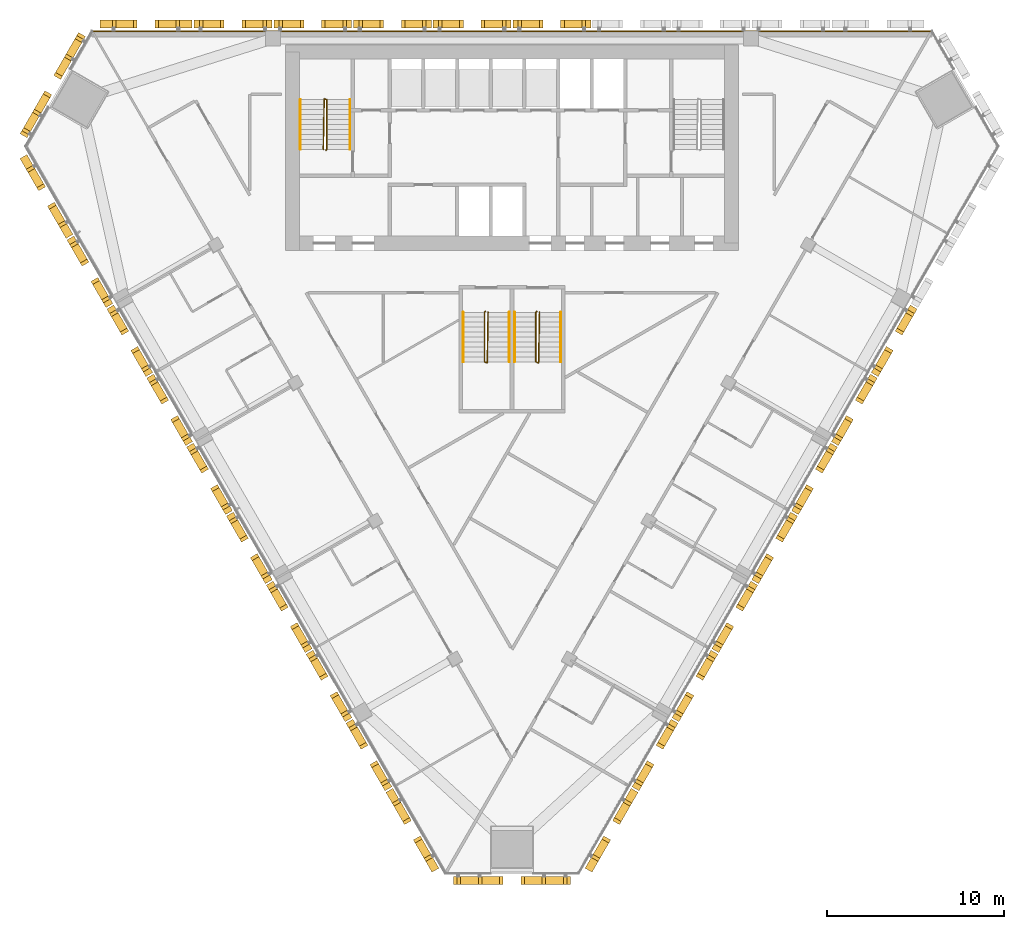
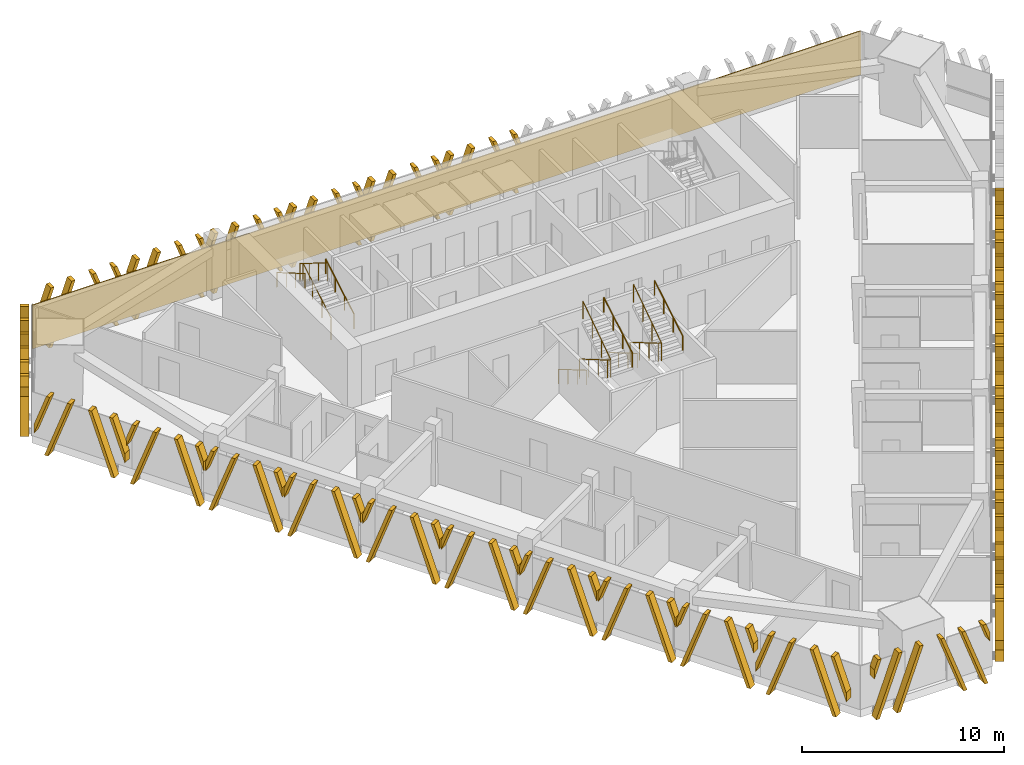
# One storey, part 13 of 15: 26 shading devices, 9 railings, 1 covering.
"""IFC4 building model written with IfcOpenShell, lengths in metres."""

from ifc_helpers import new_model, si_unit, direction, frame, frame_2d, origin, origin_2d, place, context, subcontext, project, spatial, polyline, rectangle, circle, outline, extrude, source, transform, mapped, material, layer, layer_set, type_object, element, save


model = new_model("IFC4")

# Units and contexts
model_context = context("Model", 3, precision=1e-05, world=origin(), true_north=direction((0.0, 1.0)))
body_context = subcontext(model_context, "Body", "Model", "MODEL_VIEW")
ifc_project = project(units=[si_unit("LENGTHUNIT", "METRE"), si_unit("AREAUNIT", "SQUARE_METRE"), si_unit("VOLUMEUNIT", "CUBIC_METRE"), si_unit("PLANEANGLEUNIT", "RADIAN"), si_unit("MASSUNIT", "GRAM", prefix="KILO")], contexts=[model_context])

# Site, building, storey
site_placement = place(None, origin())
site = spatial("IfcSite", under=ifc_project, at=site_placement, CompositionType="ELEMENT")
building_placement = place(site_placement, origin())
building = spatial("IfcBuilding", under=site, at=building_placement, Name="Altiplano Prism Tower", CompositionType="ELEMENT")
storey_placement = place(building_placement, frame((0.0, 0.0, 142.199951171875)))
storey = spatial("IfcBuildingStorey", under=building, at=storey_placement, Name="L36", CompositionType="ELEMENT", Elevation=142.199951171875)

# Railings
ifc_material_1 = material(Name="Steel S355", Category="steel")
railing_type_1 = type_object("IfcRailingType", Name="Stair guard 1100", PredefinedType="GUARDRAIL", material=ifc_material_1)
railing_1_placement = place(storey_placement, frame((74.5, 98.25, 0.0)))
element("IfcRailing", 1, at=railing_1_placement, inside=storey, type_object=railing_type_1, Name="L36 ST1 stair guard 1", PredefinedType="GUARDRAIL", context=body_context, shape_type="SweptSolid", body=[
    extrude(circle(Radius=0.02392578125, at=origin_2d()), frame((0.0, 0.0, 1.076171875), z_axis=(0.280808744504, 0.280808744504, 0.917765164963), x_axis=(-0.707106781187, 0.707106781187, 0.0)), (0.0, 0.0, 1.0), 0.17822265625),
    extrude(circle(Radius=0.02392578125, at=origin_2d()), frame((0.050048828125, 0.050048828125, 1.23974609375), z_axis=(0.0, 0.863360870873, 0.504586966384), x_axis=(-1.0, 0.0, 0.0)), (0.0, 0.0, 1.0), 3.2431640625),
    extrude(circle(Radius=0.02392578125, at=origin_2d()), frame((0.050048828125, 2.85009765625, 2.8759765625), z_axis=(-0.949145278916, 0.314838433982, 0.0), x_axis=(-0.314838433982, -0.949145278916, 0.0)), (0.0, 0.0, 1.0), 0.158203125),
    extrude(circle(Radius=0.02392578125, at=origin_2d()), frame((-0.10009765625, 2.89990234375, 2.8759765625), z_axis=(-0.01477401265, -0.845377694409, 0.533964682676), x_axis=(0.999847325713, -0.01747355902, 0.0)), (0.0, 0.0, 1.0), 3.37109375),
    extrude(circle(Radius=0.02099609375, at=origin_2d()), origin(), (0.0, 0.0, 1.0), 1.052001953125),
    extrude(circle(Radius=0.02099609375, at=origin_2d()), frame((0.050048828125, 0.050048828125, 0.16357421875)), (0.0, 0.0, 1.0), 1.052001953125),
    extrude(circle(Radius=0.02099609375, at=origin_2d()), frame((0.050048828125, 0.9833984375, 0.708984375)), (0.0, 0.0, 1.0), 1.052001953125),
    extrude(circle(Radius=0.02099609375, at=origin_2d()), frame((0.050048828125, 1.916748046875, 1.254638671875)), (0.0, 0.0, 1.0), 1.052001953125),
    extrude(circle(Radius=0.02099609375, at=origin_2d()), frame((0.050048828125, 2.85009765625, 1.800048828125)), (0.0, 0.0, 1.0), 1.052001953125),
    extrude(circle(Radius=0.02099609375, at=origin_2d()), frame((-0.10009765625, 2.89990234375, 1.800048828125)), (0.0, 0.0, 1.0), 1.052001953125),
    extrude(circle(Radius=0.02099609375, at=origin_2d()), frame((-0.11669921875, 1.949951171875, 2.400146484375)), (0.0, 0.0, 1.0), 1.052001953125),
    extrude(circle(Radius=0.02099609375, at=origin_2d()), frame((-0.13330078125, 1.0, 3.0)), (0.0, 0.0, 1.0), 1.052001953125),
    extrude(circle(Radius=0.02099609375, at=origin_2d()), frame((-0.14990234375, 0.050048828125, 3.60009765625)), (0.0, 0.0, 1.0), 1.052001953125),
])
railing_2_placement = place(storey_placement, frame((83.5, 89.14990234375, 0.0)))
element("IfcRailing", 2, at=railing_2_placement, inside=storey, type_object=railing_type_1, Name="L36 ST3A stair guard 1", PredefinedType="GUARDRAIL", context=body_context, shape_type="SweptSolid", body=[
    extrude(circle(Radius=0.02392578125, at=origin_2d()), frame((0.0, 0.0, 1.076171875), z_axis=(-0.280916556609, -0.279546231943, 0.91811752648), x_axis=(0.705375805398, -0.708833529934, 0.0)), (0.0, 0.0, 1.0), 0.17822265625),
    extrude(circle(Radius=0.02392578125, at=origin_2d()), frame((-0.050048828125, -0.0498046875, 1.23974609375), z_axis=(0.0, -0.863360870873, 0.504586966384), x_axis=(1.0, 0.0, 0.0)), (0.0, 0.0, 1.0), 3.2431640625),
    extrude(circle(Radius=0.02392578125, at=origin_2d()), frame((-0.050048828125, -2.849853515625, 2.8759765625), z_axis=(0.948683298051, -0.316227766017, 0.0), x_axis=(0.316227766017, 0.948683298051, 0.0)), (0.0, 0.0, 1.0), 0.158203125),
    extrude(circle(Radius=0.02392578125, at=origin_2d()), frame((0.10009765625, -2.89990234375, 2.8759765625), z_axis=(0.014773108175, 0.84539835705, 0.533931993021), x_axis=(-0.999847351862, 0.017472062685, 0.0)), (0.0, 0.0, 1.0), 3.371337890625),
    extrude(circle(Radius=0.02099609375, at=origin_2d()), origin(), (0.0, 0.0, 1.0), 1.052001953125),
    extrude(circle(Radius=0.02099609375, at=origin_2d()), frame((-0.050048828125, -0.0498046875, 0.16357421875)), (0.0, 0.0, 1.0), 1.052001953125),
    extrude(circle(Radius=0.02099609375, at=origin_2d()), frame((-0.050048828125, -0.983154296875, 0.708984375)), (0.0, 0.0, 1.0), 1.052001953125),
    extrude(circle(Radius=0.02099609375, at=origin_2d()), frame((-0.050048828125, -1.91650390625, 1.254638671875)), (0.0, 0.0, 1.0), 1.052001953125),
    extrude(circle(Radius=0.02099609375, at=origin_2d()), frame((-0.050048828125, -2.849853515625, 1.800048828125)), (0.0, 0.0, 1.0), 1.052001953125),
    extrude(circle(Radius=0.02099609375, at=origin_2d()), frame((0.10009765625, -2.89990234375, 1.800048828125)), (0.0, 0.0, 1.0), 1.052001953125),
    extrude(circle(Radius=0.02099609375, at=origin_2d()), frame((0.11669921875, -1.949951171875, 2.400146484375)), (0.0, 0.0, 1.0), 1.052001953125),
    extrude(circle(Radius=0.02099609375, at=origin_2d()), frame((0.13330078125, -0.999755859375, 3.0)), (0.0, 0.0, 1.0), 1.052001953125),
    extrude(circle(Radius=0.02099609375, at=origin_2d()), frame((0.14990234375, -0.0498046875, 3.60009765625)), (0.0, 0.0, 1.0), 1.052001953125),
])
railing_3_placement = place(storey_placement, frame((86.39990234375, 89.14990234375, 0.0)))
element("IfcRailing", 3, at=railing_3_placement, inside=storey, type_object=railing_type_1, Name="L36 ST3B stair guard 1", PredefinedType="GUARDRAIL", context=body_context, shape_type="SweptSolid", body=[
    extrude(circle(Radius=0.02392578125, at=origin_2d()), frame((0.0, 0.0, 1.076171875), z_axis=(-0.279653641804, -0.279653641804, 0.918470294159), x_axis=(0.707106781187, -0.707106781187, 0.0)), (0.0, 0.0, 1.0), 0.177978515625),
    extrude(circle(Radius=0.02392578125, at=origin_2d()), frame((-0.0498046875, -0.0498046875, 1.23974609375), z_axis=(0.0, -0.863360870873, 0.504586966384), x_axis=(1.0, 0.0, 0.0)), (0.0, 0.0, 1.0), 3.2431640625),
    extrude(circle(Radius=0.02392578125, at=origin_2d()), frame((-0.0498046875, -2.849853515625, 2.8759765625), z_axis=(0.948528701346, -0.316691178788, 0.0), x_axis=(0.316691178788, 0.948528701346, 0.0)), (0.0, 0.0, 1.0), 0.157958984375),
    extrude(circle(Radius=0.02392578125, at=origin_2d()), frame((0.10009765625, -2.89990234375, 2.8759765625), z_axis=(0.014845509451, 0.845397450405, 0.533931420407), x_axis=(-0.999845851991, 0.017557683712, 0.0)), (0.0, 0.0, 1.0), 3.371337890625),
    extrude(circle(Radius=0.02099609375, at=origin_2d()), origin(), (0.0, 0.0, 1.0), 1.052001953125),
    extrude(circle(Radius=0.02099609375, at=origin_2d()), frame((-0.0498046875, -0.0498046875, 0.16357421875)), (0.0, 0.0, 1.0), 1.052001953125),
    extrude(circle(Radius=0.02099609375, at=origin_2d()), frame((-0.0498046875, -0.983154296875, 0.708984375)), (0.0, 0.0, 1.0), 1.052001953125),
    extrude(circle(Radius=0.02099609375, at=origin_2d()), frame((-0.0498046875, -1.91650390625, 1.254638671875)), (0.0, 0.0, 1.0), 1.052001953125),
    extrude(circle(Radius=0.02099609375, at=origin_2d()), frame((-0.0498046875, -2.849853515625, 1.800048828125)), (0.0, 0.0, 1.0), 1.052001953125),
    extrude(circle(Radius=0.02099609375, at=origin_2d()), frame((0.10009765625, -2.89990234375, 1.800048828125)), (0.0, 0.0, 1.0), 1.052001953125),
    extrude(circle(Radius=0.02099609375, at=origin_2d()), frame((0.11669921875, -1.949951171875, 2.400146484375)), (0.0, 0.0, 1.0), 1.052001953125),
    extrude(circle(Radius=0.02099609375, at=origin_2d()), frame((0.133544921875, -0.999755859375, 3.0)), (0.0, 0.0, 1.0), 1.052001953125),
    extrude(circle(Radius=0.02099609375, at=origin_2d()), frame((0.150146484375, -0.0498046875, 3.60009765625)), (0.0, 0.0, 1.0), 1.052001953125),
])
railing_type_2 = type_object("IfcRailingType", Name="Stair handrail 900", PredefinedType="HANDRAIL", material=ifc_material_1)
railing_4_placement = place(storey_placement, frame((75.85009765625, 98.300048828125, 0.16357421875)))
element("IfcRailing", 4, at=railing_4_placement, inside=storey, type_object=railing_type_2, Name="L36 ST1 stair handrail 1", PredefinedType="HANDRAIL", context=body_context, shape_type="SweptSolid", body=[
    extrude(circle(Radius=0.02392578125, at=origin_2d()), frame((0.0, 0.0, 0.8759765625), z_axis=(0.0, 0.863360870873, 0.504586966384), x_axis=(-1.0, 0.0, 0.0)), (0.0, 0.0, 1.0), 3.2431640625),
    extrude(circle(Radius=0.02099609375, at=origin_2d()), origin(), (0.0, 0.0, 1.0), 0.851806640625),
    extrude(circle(Radius=0.02099609375, at=origin_2d()), frame((0.0, 0.933349609375, 0.54541015625)), (0.0, 0.0, 1.0), 0.851806640625),
    extrude(circle(Radius=0.02099609375, at=origin_2d()), frame((0.0, 1.86669921875, 1.091064453125)), (0.0, 0.0, 1.0), 0.851806640625),
    extrude(circle(Radius=0.02099609375, at=origin_2d()), frame((0.0, 2.800048828125, 1.636474609375)), (0.0, 0.0, 1.0), 0.851806640625),
])
for number, where, name in (
    (5, (73.050048828125, 101.10009765625, 1.963623046875), "L36 ST1 stair handrail 2"),
    (6, (82.25, 89.10009765625, 0.16357421875), "L36 ST3A stair handrail 1"),
):
    element("IfcRailing", number, at=place(storey_placement, frame(where)), inside=storey, type_object=railing_type_2, Name=name, PredefinedType="HANDRAIL", context=body_context, shape_type="SweptSolid", body=[
        extrude(circle(Radius=0.02392578125, at=origin_2d()), frame((0.0, 0.0, 0.8759765625), z_axis=(0.0, -0.863360870873, 0.504586966384), x_axis=(1.0, 0.0, 0.0)), (0.0, 0.0, 1.0), 3.2431640625),
        extrude(circle(Radius=0.02099609375, at=origin_2d()), origin(), (0.0, 0.0, 1.0), 0.851806640625),
        extrude(circle(Radius=0.02099609375, at=origin_2d()), frame((0.0, -0.933349609375, 0.54541015625)), (0.0, 0.0, 1.0), 0.851806640625),
        extrude(circle(Radius=0.02099609375, at=origin_2d()), frame((0.0, -1.86669921875, 1.091064453125)), (0.0, 0.0, 1.0), 0.851806640625),
        extrude(circle(Radius=0.02099609375, at=origin_2d()), frame((0.0, -2.800048828125, 1.636474609375)), (0.0, 0.0, 1.0), 0.851806640625),
    ])
railing_5_placement = place(storey_placement, frame((84.85009765625, 86.300048828125, 1.963623046875)))
element("IfcRailing", 7, at=railing_5_placement, inside=storey, type_object=railing_type_2, Name="L36 ST3A stair handrail 2", PredefinedType="HANDRAIL", context=body_context, shape_type="SweptSolid", body=[
    extrude(circle(Radius=0.02392578125, at=origin_2d()), frame((0.0, 0.0, 0.8759765625), z_axis=(0.0, 0.863360870873, 0.504586966384), x_axis=(-1.0, 0.0, 0.0)), (0.0, 0.0, 1.0), 3.2431640625),
    extrude(circle(Radius=0.02099609375, at=origin_2d()), origin(), (0.0, 0.0, 1.0), 0.851806640625),
    extrude(circle(Radius=0.02099609375, at=origin_2d()), frame((0.0, 0.933349609375, 0.54541015625)), (0.0, 0.0, 1.0), 0.851806640625),
    extrude(circle(Radius=0.02099609375, at=origin_2d()), frame((0.0, 1.86669921875, 1.091064453125)), (0.0, 0.0, 1.0), 0.851806640625),
    extrude(circle(Radius=0.02099609375, at=origin_2d()), frame((0.0, 2.800048828125, 1.636474609375)), (0.0, 0.0, 1.0), 0.851806640625),
])
railing_6_placement = place(storey_placement, frame((85.14990234375, 89.10009765625, 0.16357421875)))
element("IfcRailing", 8, at=railing_6_placement, inside=storey, type_object=railing_type_2, Name="L36 ST3B stair handrail 1", PredefinedType="HANDRAIL", context=body_context, shape_type="SweptSolid", body=[
    extrude(circle(Radius=0.02392578125, at=origin_2d()), frame((0.0, 0.0, 0.8759765625), z_axis=(0.0, -0.863360870873, 0.504586966384), x_axis=(1.0, 0.0, 0.0)), (0.0, 0.0, 1.0), 3.2431640625),
    extrude(circle(Radius=0.02099609375, at=origin_2d()), origin(), (0.0, 0.0, 1.0), 0.851806640625),
    extrude(circle(Radius=0.02099609375, at=origin_2d()), frame((0.0, -0.933349609375, 0.54541015625)), (0.0, 0.0, 1.0), 0.851806640625),
    extrude(circle(Radius=0.02099609375, at=origin_2d()), frame((0.0, -1.86669921875, 1.091064453125)), (0.0, 0.0, 1.0), 0.851806640625),
    extrude(circle(Radius=0.02099609375, at=origin_2d()), frame((0.0, -2.800048828125, 1.636474609375)), (0.0, 0.0, 1.0), 0.851806640625),
])
railing_7_placement = place(storey_placement, frame((87.75, 86.300048828125, 1.963623046875)))
element("IfcRailing", 9, at=railing_7_placement, inside=storey, type_object=railing_type_2, Name="L36 ST3B stair handrail 2", PredefinedType="HANDRAIL", context=body_context, shape_type="SweptSolid", body=[
    extrude(circle(Radius=0.02392578125, at=origin_2d()), frame((0.0, 0.0, 0.8759765625), z_axis=(0.0, 0.863360870873, 0.504586966384), x_axis=(-1.0, 0.0, 0.0)), (0.0, 0.0, 1.0), 3.2431640625),
    extrude(circle(Radius=0.02099609375, at=origin_2d()), origin(), (0.0, 0.0, 1.0), 0.851806640625),
    extrude(circle(Radius=0.02099609375, at=origin_2d()), frame((0.0, 0.933349609375, 0.54541015625)), (0.0, 0.0, 1.0), 0.851806640625),
    extrude(circle(Radius=0.02099609375, at=origin_2d()), frame((0.0, 1.86669921875, 1.091064453125)), (0.0, 0.0, 1.0), 0.851806640625),
    extrude(circle(Radius=0.02099609375, at=origin_2d()), frame((0.0, 2.800048828125, 1.636474609375)), (0.0, 0.0, 1.0), 0.851806640625),
])

# Covering
ifc_material_2 = material(Name="Warm limestone cast stone", Category="masonry")
ifc_layer = layer(ifc_material_2, 0.06005859375)
ifc_layer_set = layer_set([ifc_layer], Name="Warm limestone cast stone")
covering_type = type_object("IfcCoveringType", Name="Stone cladding 60", PredefinedType="CLADDING", material=ifc_layer_set)
covering_placement = place(storey_placement, frame((61.283203125, 104.969970703125, 0.0), z_axis=(0.0, 0.0, 1.0), x_axis=(1.0, 0.0, 0.0)))
element("IfcCovering", 10, at=covering_placement, inside=storey, type_object=covering_type, Name="Stone cladding north face L36", PredefinedType="CLADDING", context=body_context, shape_type="SweptSolid", body=[
    extrude(rectangle(XDim=47.43359375, YDim=0.06005859375, at=frame_2d((23.716796875, 0.0))), origin(), (0.0, 0.0, 1.0), 2.650146484375),
])

# Shading devices
shading_device_type_1 = type_object("IfcShadingDeviceType", Name="Stone fin panel, standard unit", PredefinedType="USERDEFINED", material=ifc_material_2)
shared_shape_1 = source(origin(), body_context, "Body", "SweptSolid", [
    extrude(outline(polyline([(-2.199951171875, 2.226318359375), (-1.699951171875, 3.60009765625), (-1.89990234375, 3.60009765625), (-2.199951171875, 2.77587890625), (-2.199951171875, 2.226318359375)])), frame((0.0, -0.14990234375, 0.0), z_axis=(0.0, -1.0, 0.0), x_axis=(1.0, 0.0, 0.0)), (0.0, 0.0, 1.0), 0.4501953125),
    extrude(outline(polyline([(-2.01025390625, 0.0), (-1.810302734375, 0.0), (-0.5, 3.60009765625), (-0.699951171875, 3.60009765625), (-2.01025390625, 0.0)])), frame((0.0, -0.14990234375, 0.0), z_axis=(0.0, -1.0, 0.0), x_axis=(1.0, 0.0, 0.0)), (0.0, 0.0, 1.0), 0.4501953125),
    extrude(outline(polyline([(1.810302734375, 0.0), (2.01025390625, 0.0), (0.699951171875, 3.60009765625), (0.5, 3.60009765625), (1.810302734375, 0.0)])), frame((0.0, -0.14990234375, 0.0), z_axis=(0.0, -1.0, 0.0), x_axis=(1.0, 0.0, 0.0)), (0.0, 0.0, 1.0), 0.4501953125),
    extrude(outline(polyline([(2.199951171875, 2.77587890625), (1.89990234375, 3.60009765625), (1.699951171875, 3.60009765625), (2.199951171875, 2.226318359375), (2.199951171875, 2.77587890625)])), frame((0.0, -0.14990234375, 0.0), z_axis=(0.0, -1.0, 0.0), x_axis=(1.0, 0.0, 0.0)), (0.0, 0.0, 1.0), 0.4501953125),
])
shading_device_1_placement = place(storey_placement, origin())
element("IfcShadingDevice", 11, at=shading_device_1_placement, inside=storey, type_object=shading_device_type_1, Name="Fin L36 north face 5", ObjectType="FIN", PredefinedType="USERDEFINED", context=body_context, shape_type="MappedRepresentation", body=[
    mapped(shared_shape_1, transform((87.25, 105.0, -0.449951171875), x_axis=(-1.0, 0.0, 0.0), y_axis=(0.0, -1.0, 0.0), z_axis=(0.0, 0.0, 1.0))),
])
shading_device_2_placement = place(storey_placement, origin())
element("IfcShadingDevice", 12, at=shading_device_2_placement, inside=storey, type_object=shading_device_type_1, Name="Fin L36 north face 6", ObjectType="FIN", PredefinedType="USERDEFINED", context=body_context, shape_type="MappedRepresentation", body=[
    mapped(shared_shape_1, transform((82.75, 105.0, -0.449951171875), x_axis=(-1.0, 0.0, 0.0), y_axis=(0.0, -1.0, 0.0), z_axis=(0.0, 0.0, 1.0))),
])
shading_device_3_placement = place(storey_placement, origin())
element("IfcShadingDevice", 13, at=shading_device_3_placement, inside=storey, type_object=shading_device_type_1, Name="Fin L36 north face 7", ObjectType="FIN", PredefinedType="USERDEFINED", context=body_context, shape_type="MappedRepresentation", body=[
    mapped(shared_shape_1, transform((78.25, 105.0, -0.449951171875), x_axis=(-1.0, 0.0, 0.0), y_axis=(0.0, -1.0, 0.0), z_axis=(0.0, 0.0, 1.0))),
])
shading_device_4_placement = place(storey_placement, origin())
element("IfcShadingDevice", 14, at=shading_device_4_placement, inside=storey, type_object=shading_device_type_1, Name="Fin L36 north face 8", ObjectType="FIN", PredefinedType="USERDEFINED", context=body_context, shape_type="MappedRepresentation", body=[
    mapped(shared_shape_1, transform((73.75, 105.0, -0.449951171875), x_axis=(-1.0, 0.0, 0.0), y_axis=(0.0, -1.0, 0.0), z_axis=(0.0, 0.0, 1.0))),
])
shading_device_5_placement = place(storey_placement, origin())
element("IfcShadingDevice", 15, at=shading_device_5_placement, inside=storey, type_object=shading_device_type_1, Name="Fin L36 north face 9", ObjectType="FIN", PredefinedType="USERDEFINED", context=body_context, shape_type="MappedRepresentation", body=[
    mapped(shared_shape_1, transform((69.25, 105.0, -0.449951171875), x_axis=(-1.0, 0.0, 0.0), y_axis=(0.0, -1.0, 0.0), z_axis=(0.0, 0.0, 1.0))),
])
shading_device_6_placement = place(storey_placement, origin())
element("IfcShadingDevice", 16, at=shading_device_6_placement, inside=storey, type_object=shading_device_type_1, Name="Fin L36 south-west face 2", ObjectType="FIN", PredefinedType="USERDEFINED", context=body_context, shape_type="MappedRepresentation", body=[
    mapped(shared_shape_1, transform((61.498046875, 91.573486328125, -0.449951171875), x_axis=(0.50000000109, -0.866025403155, 0.0), y_axis=(0.866025403155, 0.50000000109, 0.0), z_axis=(0.0, 0.0, 1.0))),
])
shading_device_7_placement = place(storey_placement, origin())
element("IfcShadingDevice", 17, at=shading_device_7_placement, inside=storey, type_object=shading_device_type_1, Name="Fin L36 south-west face 3", ObjectType="FIN", PredefinedType="USERDEFINED", context=body_context, shape_type="MappedRepresentation", body=[
    mapped(shared_shape_1, transform((63.748046875, 87.67626953125, -0.449951171875), x_axis=(0.50000000109, -0.866025403155, 0.0), y_axis=(0.866025403155, 0.50000000109, 0.0), z_axis=(0.0, 0.0, 1.0))),
])
shading_device_8_placement = place(storey_placement, origin())
element("IfcShadingDevice", 18, at=shading_device_8_placement, inside=storey, type_object=shading_device_type_1, Name="Fin L36 south-west face 4", ObjectType="FIN", PredefinedType="USERDEFINED", context=body_context, shape_type="MappedRepresentation", body=[
    mapped(shared_shape_1, transform((65.998046875, 83.779052734375, -0.449951171875), x_axis=(0.50000000109, -0.866025403155, 0.0), y_axis=(0.866025403155, 0.50000000109, 0.0), z_axis=(0.0, 0.0, 1.0))),
])
shading_device_9_placement = place(storey_placement, origin())
element("IfcShadingDevice", 19, at=shading_device_9_placement, inside=storey, type_object=shading_device_type_1, Name="Fin L36 south-west face 5", ObjectType="FIN", PredefinedType="USERDEFINED", context=body_context, shape_type="MappedRepresentation", body=[
    mapped(shared_shape_1, transform((68.248046875, 79.882080078125, -0.449951171875), x_axis=(0.50000000109, -0.866025403155, 0.0), y_axis=(0.866025403155, 0.50000000109, 0.0), z_axis=(0.0, 0.0, 1.0))),
])
shading_device_10_placement = place(storey_placement, origin())
element("IfcShadingDevice", 20, at=shading_device_10_placement, inside=storey, type_object=shading_device_type_1, Name="Fin L36 south-west face 6", ObjectType="FIN", PredefinedType="USERDEFINED", context=body_context, shape_type="MappedRepresentation", body=[
    mapped(shared_shape_1, transform((70.498046875, 75.98486328125, -0.449951171875), x_axis=(0.50000000109, -0.866025403155, 0.0), y_axis=(0.866025403155, 0.50000000109, 0.0), z_axis=(0.0, 0.0, 1.0))),
])
shading_device_11_placement = place(storey_placement, origin())
element("IfcShadingDevice", 21, at=shading_device_11_placement, inside=storey, type_object=shading_device_type_1, Name="Fin L36 south-west face 7", ObjectType="FIN", PredefinedType="USERDEFINED", context=body_context, shape_type="MappedRepresentation", body=[
    mapped(shared_shape_1, transform((72.748046875, 72.087890625, -0.449951171875), x_axis=(0.50000000109, -0.866025403155, 0.0), y_axis=(0.866025403155, 0.50000000109, 0.0), z_axis=(0.0, 0.0, 1.0))),
])
shading_device_12_placement = place(storey_placement, origin())
element("IfcShadingDevice", 22, at=shading_device_12_placement, inside=storey, type_object=shading_device_type_1, Name="Fin L36 south-west face 8", ObjectType="FIN", PredefinedType="USERDEFINED", context=body_context, shape_type="MappedRepresentation", body=[
    mapped(shared_shape_1, transform((74.998046875, 68.190673828125, -0.449951171875), x_axis=(0.50000000109, -0.866025403155, 0.0), y_axis=(0.866025403155, 0.50000000109, 0.0), z_axis=(0.0, 0.0, 1.0))),
])
shading_device_13_placement = place(storey_placement, origin())
element("IfcShadingDevice", 23, at=shading_device_13_placement, inside=storey, type_object=shading_device_type_1, Name="Fin L36 south-west face 9", ObjectType="FIN", PredefinedType="USERDEFINED", context=body_context, shape_type="MappedRepresentation", body=[
    mapped(shared_shape_1, transform((77.248046875, 64.29345703125, -0.449951171875), x_axis=(0.50000000109, -0.866025403155, 0.0), y_axis=(0.866025403155, 0.50000000109, 0.0), z_axis=(0.0, 0.0, 1.0))),
])
shading_device_14_placement = place(storey_placement, origin())
element("IfcShadingDevice", 24, at=shading_device_14_placement, inside=storey, type_object=shading_device_type_1, Name="Fin L36 south-east face 2", ObjectType="FIN", PredefinedType="USERDEFINED", context=body_context, shape_type="MappedRepresentation", body=[
    mapped(shared_shape_1, transform((92.751953125, 64.29345703125, -0.449951171875), x_axis=(0.50000000109, 0.866025403155, 0.0), y_axis=(-0.866025403155, 0.50000000109, 0.0), z_axis=(0.0, 0.0, 1.0))),
])
shading_device_15_placement = place(storey_placement, origin())
element("IfcShadingDevice", 25, at=shading_device_15_placement, inside=storey, type_object=shading_device_type_1, Name="Fin L36 south-east face 3", ObjectType="FIN", PredefinedType="USERDEFINED", context=body_context, shape_type="MappedRepresentation", body=[
    mapped(shared_shape_1, transform((95.001953125, 68.190673828125, -0.449951171875), x_axis=(0.50000000109, 0.866025403155, 0.0), y_axis=(-0.866025403155, 0.50000000109, 0.0), z_axis=(0.0, 0.0, 1.0))),
])
shading_device_16_placement = place(storey_placement, origin())
element("IfcShadingDevice", 26, at=shading_device_16_placement, inside=storey, type_object=shading_device_type_1, Name="Fin L36 south-east face 4", ObjectType="FIN", PredefinedType="USERDEFINED", context=body_context, shape_type="MappedRepresentation", body=[
    mapped(shared_shape_1, transform((97.251953125, 72.087890625, -0.449951171875), x_axis=(0.50000000109, 0.866025403155, 0.0), y_axis=(-0.866025403155, 0.50000000109, 0.0), z_axis=(0.0, 0.0, 1.0))),
])
shading_device_17_placement = place(storey_placement, origin())
element("IfcShadingDevice", 27, at=shading_device_17_placement, inside=storey, type_object=shading_device_type_1, Name="Fin L36 south-east face 5", ObjectType="FIN", PredefinedType="USERDEFINED", context=body_context, shape_type="MappedRepresentation", body=[
    mapped(shared_shape_1, transform((99.501953125, 75.98486328125, -0.449951171875), x_axis=(0.50000000109, 0.866025403155, 0.0), y_axis=(-0.866025403155, 0.50000000109, 0.0), z_axis=(0.0, 0.0, 1.0))),
])
shading_device_18_placement = place(storey_placement, origin())
element("IfcShadingDevice", 28, at=shading_device_18_placement, inside=storey, type_object=shading_device_type_1, Name="Fin L36 south-east face 6", ObjectType="FIN", PredefinedType="USERDEFINED", context=body_context, shape_type="MappedRepresentation", body=[
    mapped(shared_shape_1, transform((101.751953125, 79.882080078125, -0.449951171875), x_axis=(0.50000000109, 0.866025403155, 0.0), y_axis=(-0.866025403155, 0.50000000109, 0.0), z_axis=(0.0, 0.0, 1.0))),
])
shading_device_19_placement = place(storey_placement, origin())
element("IfcShadingDevice", 29, at=shading_device_19_placement, inside=storey, type_object=shading_device_type_1, Name="Fin L36 south-east face 7", ObjectType="FIN", PredefinedType="USERDEFINED", context=body_context, shape_type="MappedRepresentation", body=[
    mapped(shared_shape_1, transform((104.001953125, 83.779052734375, -0.449951171875), x_axis=(0.50000000109, 0.866025403155, 0.0), y_axis=(-0.866025403155, 0.50000000109, 0.0), z_axis=(0.0, 0.0, 1.0))),
])
shading_device_20_placement = place(storey_placement, origin())
element("IfcShadingDevice", 30, at=shading_device_20_placement, inside=storey, type_object=shading_device_type_1, Name="Fin L36 south-east face 8", ObjectType="FIN", PredefinedType="USERDEFINED", context=body_context, shape_type="MappedRepresentation", body=[
    mapped(shared_shape_1, transform((106.251953125, 87.67626953125, -0.449951171875), x_axis=(0.50000000109, 0.866025403155, 0.0), y_axis=(-0.866025403155, 0.50000000109, 0.0), z_axis=(0.0, 0.0, 1.0))),
])
shading_device_type_2 = type_object("IfcShadingDeviceType", Name="Stone fin panel, wide closing bay", PredefinedType="USERDEFINED", material=ifc_material_2)
shared_shape_2 = source(origin(), body_context, "Body", "SweptSolid", [
    extrude(outline(polyline([(-2.60009765625, 1.127197265625), (-1.699951171875, 3.60009765625), (-1.89990234375, 3.60009765625), (-2.60009765625, 1.6767578125), (-2.60009765625, 1.127197265625)])), frame((0.0, -0.14990234375, 0.0), z_axis=(0.0, -1.0, 0.0), x_axis=(1.0, 0.0, 0.0)), (0.0, 0.0, 1.0), 0.4501953125),
    extrude(outline(polyline([(-2.01025390625, 0.0), (-1.810302734375, 0.0), (-0.5, 3.60009765625), (-0.699951171875, 3.60009765625), (-2.01025390625, 0.0)])), frame((0.0, -0.14990234375, 0.0), z_axis=(0.0, -1.0, 0.0), x_axis=(1.0, 0.0, 0.0)), (0.0, 0.0, 1.0), 0.4501953125),
    extrude(outline(polyline([(1.810302734375, 0.0), (2.01025390625, 0.0), (0.699951171875, 3.60009765625), (0.5, 3.60009765625), (1.810302734375, 0.0)])), frame((0.0, -0.14990234375, 0.0), z_axis=(0.0, -1.0, 0.0), x_axis=(1.0, 0.0, 0.0)), (0.0, 0.0, 1.0), 0.4501953125),
    extrude(outline(polyline([(2.60009765625, 1.6767578125), (1.89990234375, 3.60009765625), (1.699951171875, 3.60009765625), (2.60009765625, 1.127197265625), (2.60009765625, 1.6767578125)])), frame((0.0, -0.14990234375, 0.0), z_axis=(0.0, -1.0, 0.0), x_axis=(1.0, 0.0, 0.0)), (0.0, 0.0, 1.0), 0.4501953125),
])
shading_device_21_placement = place(storey_placement, origin())
element("IfcShadingDevice", 31, at=shading_device_21_placement, inside=storey, type_object=shading_device_type_2, Name="Fin L36 north face 10", ObjectType="FIN", PredefinedType="USERDEFINED", context=body_context, shape_type="MappedRepresentation", body=[
    mapped(shared_shape_2, transform((64.341552734375, 105.0, -0.449951171875), x_axis=(-1.0, 0.0, 0.0), y_axis=(0.0, -1.0, 0.0), z_axis=(0.0, 0.0, 1.0))),
])
shading_device_22_placement = place(storey_placement, origin())
element("IfcShadingDevice", 32, at=shading_device_22_placement, inside=storey, type_object=shading_device_type_2, Name="Fin L36 south-west face 1", ObjectType="FIN", PredefinedType="USERDEFINED", context=body_context, shape_type="MappedRepresentation", body=[
    mapped(shared_shape_2, transform((59.0439453125, 95.82421875, -0.449951171875), x_axis=(0.50000000109, -0.866025403155, 0.0), y_axis=(0.866025403155, 0.50000000109, 0.0), z_axis=(0.0, 0.0, 1.0))),
])
shading_device_23_placement = place(storey_placement, origin())
element("IfcShadingDevice", 33, at=shading_device_23_placement, inside=storey, type_object=shading_device_type_2, Name="Fin L36 south-west face 10", ObjectType="FIN", PredefinedType="USERDEFINED", context=body_context, shape_type="MappedRepresentation", body=[
    mapped(shared_shape_2, transform((79.702392578125, 60.042724609375, -0.449951171875), x_axis=(0.50000000109, -0.866025403155, 0.0), y_axis=(0.866025403155, 0.50000000109, 0.0), z_axis=(0.0, 0.0, 1.0))),
])
shading_device_24_placement = place(storey_placement, origin())
element("IfcShadingDevice", 34, at=shading_device_24_placement, inside=storey, type_object=shading_device_type_2, Name="Fin L36 south-east face 1", ObjectType="FIN", PredefinedType="USERDEFINED", context=body_context, shape_type="MappedRepresentation", body=[
    mapped(shared_shape_2, transform((90.297607421875, 60.042724609375, -0.449951171875), x_axis=(0.50000000109, 0.866025403155, 0.0), y_axis=(-0.866025403155, 0.50000000109, 0.0), z_axis=(0.0, 0.0, 1.0))),
])
shading_device_type_3 = type_object("IfcShadingDeviceType", Name="Stone fin panel, chamfer unit", PredefinedType="USERDEFINED", material=ifc_material_2)
shared_shape_3 = source(origin(), body_context, "Body", "SweptSolid", [
    extrude(outline(polyline([(-3.300048828125, 2.5009765625), (-2.89990234375, 3.60009765625), (-3.10009765625, 3.60009765625), (-3.300048828125, 3.050537109375), (-3.300048828125, 2.5009765625)])), frame((0.0, -0.14990234375, 0.0), z_axis=(0.0, -1.0, 0.0), x_axis=(1.0, 0.0, 0.0)), (0.0, 0.0, 1.0), 0.4501953125),
    extrude(outline(polyline([(-3.210205078125, 0.0), (-3.01025390625, 0.0), (-1.699951171875, 3.60009765625), (-1.89990234375, 3.60009765625), (-3.210205078125, 0.0)])), frame((0.0, -0.14990234375, 0.0), z_axis=(0.0, -1.0, 0.0), x_axis=(1.0, 0.0, 0.0)), (0.0, 0.0, 1.0), 0.4501953125),
    extrude(outline(polyline([(-2.01025390625, 0.0), (-1.810302734375, 0.0), (-0.5, 3.60009765625), (-0.699951171875, 3.60009765625), (-2.01025390625, 0.0)])), frame((0.0, -0.14990234375, 0.0), z_axis=(0.0, -1.0, 0.0), x_axis=(1.0, 0.0, 0.0)), (0.0, 0.0, 1.0), 0.4501953125),
    extrude(outline(polyline([(1.810302734375, 0.0), (2.01025390625, 0.0), (0.699951171875, 3.60009765625), (0.5, 3.60009765625), (1.810302734375, 0.0)])), frame((0.0, -0.14990234375, 0.0), z_axis=(0.0, -1.0, 0.0), x_axis=(1.0, 0.0, 0.0)), (0.0, 0.0, 1.0), 0.4501953125),
    extrude(outline(polyline([(3.01025390625, 0.0), (3.210205078125, 0.0), (1.89990234375, 3.60009765625), (1.699951171875, 3.60009765625), (3.01025390625, 0.0)])), frame((0.0, -0.14990234375, 0.0), z_axis=(0.0, -1.0, 0.0), x_axis=(1.0, 0.0, 0.0)), (0.0, 0.0, 1.0), 0.4501953125),
    extrude(outline(polyline([(3.300048828125, 3.050537109375), (3.10009765625, 3.60009765625), (2.89990234375, 3.60009765625), (3.300048828125, 2.5009765625), (3.300048828125, 3.050537109375)])), frame((0.0, -0.14990234375, 0.0), z_axis=(0.0, -1.0, 0.0), x_axis=(1.0, 0.0, 0.0)), (0.0, 0.0, 1.0), 0.4501953125),
])
shading_device_25_placement = place(storey_placement, origin())
element("IfcShadingDevice", 35, at=shading_device_25_placement, inside=storey, type_object=shading_device_type_3, Name="Fin L36 north-west chamfer 1", ObjectType="FIN", PredefinedType="USERDEFINED", context=body_context, shape_type="MappedRepresentation", body=[
    mapped(shared_shape_3, transform((59.39892578125, 101.736328125, -0.449951171875), x_axis=(-0.500000004956, -0.866025400923, 0.0), y_axis=(0.866025400923, -0.500000004956, 0.0), z_axis=(0.0, 0.0, 1.0))),
])
shading_device_26_placement = place(storey_placement, origin())
element("IfcShadingDevice", 36, at=shading_device_26_placement, inside=storey, type_object=shading_device_type_3, Name="Fin L36 south chamfer 1", ObjectType="FIN", PredefinedType="USERDEFINED", context=body_context, shape_type="MappedRepresentation", body=[
    mapped(shared_shape_3, transform((85.0, 57.39404296875, -0.449951171875), x_axis=(1.0, 0.0, 0.0), y_axis=(0.0, 1.0, 0.0), z_axis=(0.0, 0.0, 1.0))),
])

save(model, "model.ifc")
